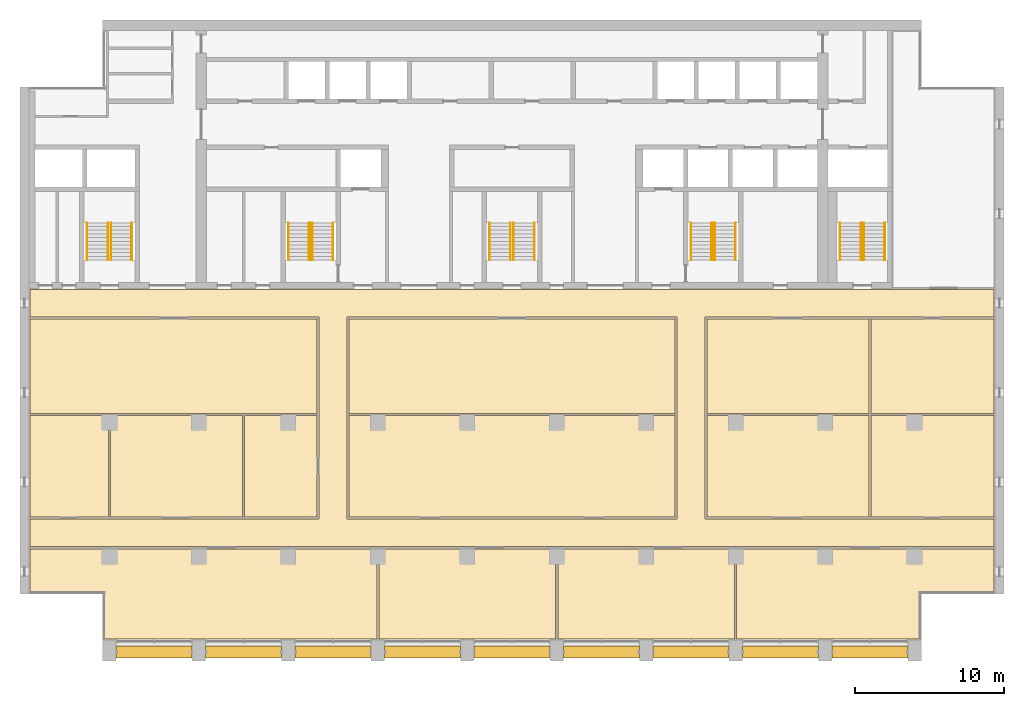
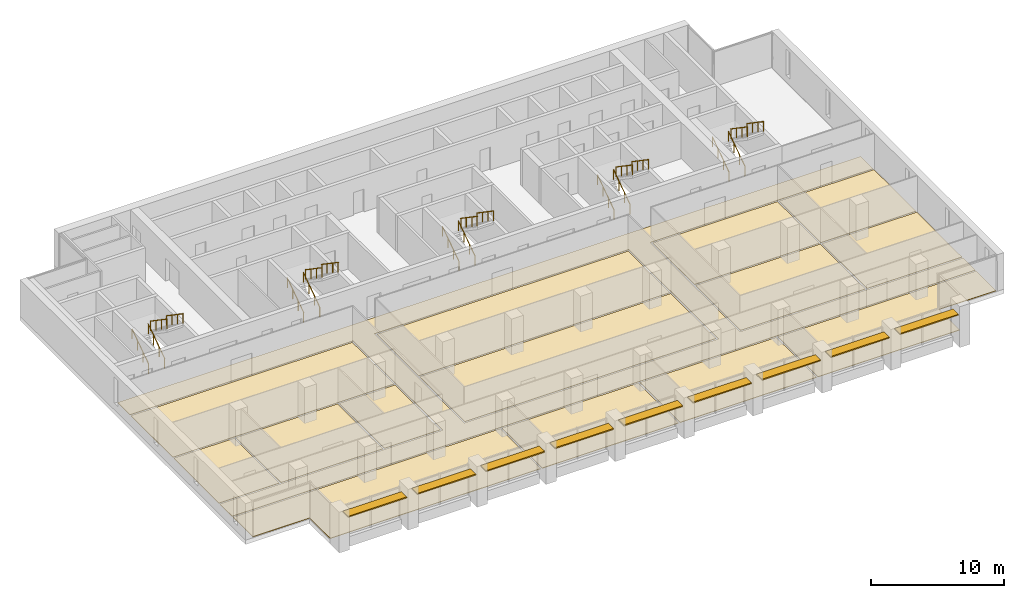
# One storey, part 16 of 17: 20 railings, 15 coverings, 9 shading devices, 5 elements without a shape of their own.
"""IFC4 building model written with IfcOpenShell, lengths in metres."""

from ifc_helpers import new_model, si_unit, direction, frame, origin, origin_2d, place, context, subcontext, project, spatial, polyline, rectangle, circle, outline, extrude, material, layer, layer_set, material_profile, profile_set, type_object, element, aggregate, save


model = new_model("IFC4")

# Units and contexts
model_context = context("Model", 3, precision=1e-05, world=origin(), true_north=direction((0.0, 1.0)))
body_context = subcontext(model_context, "Body", "Model", "MODEL_VIEW")
ifc_project = project(units=[si_unit("LENGTHUNIT", "METRE"), si_unit("AREAUNIT", "SQUARE_METRE"), si_unit("VOLUMEUNIT", "CUBIC_METRE"), si_unit("PLANEANGLEUNIT", "RADIAN"), si_unit("MASSUNIT", "GRAM", prefix="KILO")], contexts=[model_context])

# Site, building, storey
site_placement = place(None, origin())
site = spatial("IfcSite", under=ifc_project, at=site_placement, CompositionType="ELEMENT")
building_placement = place(site_placement, origin())
building = spatial("IfcBuilding", under=site, at=building_placement, Name="Calvaro Tower", CompositionType="ELEMENT")
storey_placement = place(building_placement, frame((0.0, 0.0, 208.0)))
storey = spatial("IfcBuildingStorey", under=building, at=storey_placement, Name="L52", CompositionType="ELEMENT", Elevation=208.0)

# Shading devices
ifc_material_1 = material(Name="Anodised aluminium", Category="aluminium")
ifc_material_profile = material_profile(ifc_material_1, rectangle(XDim=0.800048828125, YDim=0.10009765625, at=origin_2d()), Name="Brise-soleil blade 800 x 100")
ifc_profile_set = profile_set([ifc_material_profile], Name="Anodised aluminium")
shading_device_type = type_object("IfcShadingDeviceType", Name="Brise-soleil blade 800 x 100", PredefinedType="JALOUSIE", material=ifc_profile_set)
for number, where, z_axis, x_axis, name in (
    (1, (12.449951171875, 3.60009765625, 2.5), (1.0, 0.0, 0.0), (0.0, 1.0, 0.0), "Brise-soleil blade 1"),
    (2, (18.449951171875, 3.60009765625, 2.5), (1.0, 0.0, 0.0), (0.0, 1.0, 0.0), "Brise-soleil blade 2"),
    (3, (24.449951171875, 3.60009765625, 2.5), (1.0, 0.0, 0.0), (0.0, 1.0, 0.0), "Brise-soleil blade 3"),
    (4, (30.449951171875, 3.60009765625, 2.5), (1.0, 0.0, 0.0), (0.0, 1.0, 0.0), "Brise-soleil blade 4"),
    (5, (36.449951171875, 3.60009765625, 2.5), (1.0, 0.0, 0.0), (0.0, 1.0, 0.0), "Brise-soleil blade 5"),
    (6, (42.449951171875, 3.60009765625, 2.5), (1.0, 0.0, 0.0), (0.0, 1.0, 0.0), "Brise-soleil blade 6"),
    (7, (48.449951171875, 3.60009765625, 2.5), (1.0, 0.0, 0.0), (0.0, 1.0, 0.0), "Brise-soleil blade 7"),
    (8, (54.449951171875, 3.60009765625, 2.5), (1.0, 0.0, 0.0), (0.0, 1.0, 0.0), "Brise-soleil blade 8"),
    (9, (60.449951171875, 3.60009765625, 2.5), (1.0, 0.0, 0.0), (0.0, 1.0, 0.0), "Brise-soleil blade 9"),
):
    element("IfcShadingDevice", number, at=place(storey_placement, frame(where, z_axis=z_axis, x_axis=x_axis)), inside=storey, type_object=shading_device_type, Name=name, PredefinedType="JALOUSIE", context=body_context, shape_type="SweptSolid", body=[
        extrude(rectangle(XDim=0.800048828125, YDim=0.10009765625, at=origin_2d()), origin(), (0.0, 0.0, 1.0), 5.10009765625),
    ])

# Coverings
ifc_material_2 = material(Name="Cement screed with carpet tile finish")
ifc_layer = layer(ifc_material_2, 0.050048828125)
ifc_layer_set = layer_set([ifc_layer], Name="Cement screed with carpet tile finish")
covering_type = type_object("IfcCoveringType", Name="Floor finish 50", PredefinedType="FLOORING", material=ifc_layer_set)
covering_1_placement = place(storey_placement, origin())
element("IfcCovering", 10, at=covering_1_placement, inside=storey, type_object=covering_type, Name="Floor finish 30.01", PredefinedType="FLOORING", context=body_context, shape_type="SweptSolid", body=[
    extrude(outline(polyline([(6.669921875, 10.669921875), (6.669921875, 12.530029296875), (26.070068359375, 12.530029296875), (26.070068359375, 26.070068359375), (6.669921875, 26.070068359375), (6.669921875, 27.929931640625), (71.330078125, 27.929931640625), (71.330078125, 26.070068359375), (51.929931640625, 26.070068359375), (51.929931640625, 12.530029296875), (71.330078125, 12.530029296875), (71.330078125, 10.669921875), (6.669921875, 10.669921875)]), holes=[polyline([(50.070068359375, 12.530029296875), (50.070068359375, 26.070068359375), (27.929931640625, 26.070068359375), (27.929931640625, 12.530029296875), (50.070068359375, 12.530029296875)])]), origin(), (0.0, 0.0, 1.0), 0.050048828125),
])
covering_2_placement = place(storey_placement, origin())
element("IfcCovering", 11, at=covering_2_placement, inside=storey, type_object=covering_type, Name="Floor finish 30.04", PredefinedType="FLOORING", context=body_context, shape_type="SweptSolid", body=[
    extrude(outline(polyline([(29.929931640625, 10.530029296875), (29.929931640625, 4.469970703125), (11.6201171875, 4.469970703125), (11.6201171875, 7.570068359375), (6.669921875, 7.570068359375), (6.669921875, 10.530029296875), (29.929931640625, 10.530029296875)])), origin(), (0.0, 0.0, 1.0), 0.050048828125),
])
covering_3_placement = place(storey_placement, origin())
element("IfcCovering", 12, at=covering_3_placement, inside=storey, type_object=covering_type, Name="Floor finish 30.02", PredefinedType="FLOORING", context=body_context, shape_type="SweptSolid", body=[
    extrude(outline(polyline([(30.070068359375, 10.530029296875), (41.929931640625, 10.530029296875), (41.929931640625, 4.469970703125), (30.070068359375, 4.469970703125), (30.070068359375, 10.530029296875)])), origin(), (0.0, 0.0, 1.0), 0.050048828125),
])
covering_4_placement = place(storey_placement, origin())
element("IfcCovering", 13, at=covering_4_placement, inside=storey, type_object=covering_type, Name="Floor finish 30.03", PredefinedType="FLOORING", context=body_context, shape_type="SweptSolid", body=[
    extrude(outline(polyline([(42.070068359375, 10.530029296875), (53.929931640625, 10.530029296875), (53.929931640625, 4.469970703125), (42.070068359375, 4.469970703125), (42.070068359375, 10.530029296875)])), origin(), (0.0, 0.0, 1.0), 0.050048828125),
])
covering_5_placement = place(storey_placement, origin())
element("IfcCovering", 14, at=covering_5_placement, inside=storey, type_object=covering_type, Name="Floor finish 30.05", PredefinedType="FLOORING", context=body_context, shape_type="SweptSolid", body=[
    extrude(outline(polyline([(71.330078125, 7.570068359375), (66.3798828125, 7.570068359375), (66.3798828125, 4.469970703125), (54.070068359375, 4.469970703125), (54.070068359375, 10.530029296875), (71.330078125, 10.530029296875), (71.330078125, 7.570068359375)])), origin(), (0.0, 0.0, 1.0), 0.050048828125),
])
covering_6_placement = place(storey_placement, origin())
element("IfcCovering", 15, at=covering_6_placement, inside=storey, type_object=covering_type, Name="Floor finish 30.06", PredefinedType="FLOORING", context=body_context, shape_type="SweptSolid", body=[
    extrude(outline(polyline([(11.929931640625, 19.47998046875), (11.929931640625, 12.669921875), (6.669921875, 12.669921875), (6.669921875, 19.47998046875), (11.929931640625, 19.47998046875)])), origin(), (0.0, 0.0, 1.0), 0.050048828125),
])
covering_7_placement = place(storey_placement, origin())
element("IfcCovering", 16, at=covering_7_placement, inside=storey, type_object=covering_type, Name="Floor finish 30.07", PredefinedType="FLOORING", context=body_context, shape_type="SweptSolid", body=[
    extrude(outline(polyline([(12.070068359375, 12.669921875), (12.070068359375, 19.47998046875), (20.929931640625, 19.47998046875), (20.929931640625, 12.669921875), (12.070068359375, 12.669921875)])), origin(), (0.0, 0.0, 1.0), 0.050048828125),
])
covering_8_placement = place(storey_placement, origin())
element("IfcCovering", 17, at=covering_8_placement, inside=storey, type_object=covering_type, Name="Floor finish 30.08", PredefinedType="FLOORING", context=body_context, shape_type="SweptSolid", body=[
    extrude(outline(polyline([(21.070068359375, 12.669921875), (21.070068359375, 19.47998046875), (25.929931640625, 19.47998046875), (25.929931640625, 12.669921875), (21.070068359375, 12.669921875)])), origin(), (0.0, 0.0, 1.0), 0.050048828125),
])
covering_9_placement = place(storey_placement, origin())
element("IfcCovering", 18, at=covering_9_placement, inside=storey, type_object=covering_type, Name="Floor finish 30.12", PredefinedType="FLOORING", context=body_context, shape_type="SweptSolid", body=[
    extrude(outline(polyline([(25.929931640625, 25.929931640625), (25.929931640625, 19.6201171875), (6.669921875, 19.6201171875), (6.669921875, 25.929931640625), (25.929931640625, 25.929931640625)])), origin(), (0.0, 0.0, 1.0), 0.050048828125),
])
covering_10_placement = place(storey_placement, origin())
element("IfcCovering", 19, at=covering_10_placement, inside=storey, type_object=covering_type, Name="Floor finish 30.09", PredefinedType="FLOORING", context=body_context, shape_type="SweptSolid", body=[
    extrude(outline(polyline([(28.070068359375, 12.669921875), (28.070068359375, 19.47998046875), (49.929931640625, 19.47998046875), (49.929931640625, 12.669921875), (28.070068359375, 12.669921875)])), origin(), (0.0, 0.0, 1.0), 0.050048828125),
])
covering_11_placement = place(storey_placement, origin())
element("IfcCovering", 20, at=covering_11_placement, inside=storey, type_object=covering_type, Name="Floor finish 30.13", PredefinedType="FLOORING", context=body_context, shape_type="SweptSolid", body=[
    extrude(outline(polyline([(28.070068359375, 19.6201171875), (28.070068359375, 25.929931640625), (49.929931640625, 25.929931640625), (49.929931640625, 19.6201171875), (28.070068359375, 19.6201171875)])), origin(), (0.0, 0.0, 1.0), 0.050048828125),
])
covering_12_placement = place(storey_placement, origin())
element("IfcCovering", 21, at=covering_12_placement, inside=storey, type_object=covering_type, Name="Floor finish 30.10", PredefinedType="FLOORING", context=body_context, shape_type="SweptSolid", body=[
    extrude(outline(polyline([(52.070068359375, 12.669921875), (52.070068359375, 19.47998046875), (62.929931640625, 19.47998046875), (62.929931640625, 12.669921875), (52.070068359375, 12.669921875)])), origin(), (0.0, 0.0, 1.0), 0.050048828125),
])
covering_13_placement = place(storey_placement, origin())
element("IfcCovering", 22, at=covering_13_placement, inside=storey, type_object=covering_type, Name="Floor finish 30.11", PredefinedType="FLOORING", context=body_context, shape_type="SweptSolid", body=[
    extrude(outline(polyline([(71.330078125, 12.669921875), (63.070068359375, 12.669921875), (63.070068359375, 19.47998046875), (71.330078125, 19.47998046875), (71.330078125, 12.669921875)])), origin(), (0.0, 0.0, 1.0), 0.050048828125),
])
covering_14_placement = place(storey_placement, origin())
element("IfcCovering", 23, at=covering_14_placement, inside=storey, type_object=covering_type, Name="Floor finish 30.14", PredefinedType="FLOORING", context=body_context, shape_type="SweptSolid", body=[
    extrude(outline(polyline([(52.070068359375, 19.6201171875), (52.070068359375, 25.929931640625), (62.929931640625, 25.929931640625), (62.929931640625, 19.6201171875), (52.070068359375, 19.6201171875)])), origin(), (0.0, 0.0, 1.0), 0.050048828125),
])
covering_15_placement = place(storey_placement, origin())
element("IfcCovering", 24, at=covering_15_placement, inside=storey, type_object=covering_type, Name="Floor finish 30.15", PredefinedType="FLOORING", context=body_context, shape_type="SweptSolid", body=[
    extrude(outline(polyline([(71.330078125, 19.6201171875), (63.070068359375, 19.6201171875), (63.070068359375, 25.929931640625), (71.330078125, 25.929931640625), (71.330078125, 19.6201171875)])), origin(), (0.0, 0.0, 1.0), 0.050048828125),
])

# Stair, railings
ifc_material_3 = material(Name="Concrete C40/50", Category="concrete")
stair_type = type_object("IfcStairType", Name="Exit stair 1400 2 flights", PredefinedType="HALF_TURN_STAIR", material=ifc_material_3)
stair_1_placement = place(storey_placement, origin())
stair_1 = element("IfcStair", 25, at=stair_1_placement, inside=storey, type_object=stair_type, Name="Exit stair S1", PredefinedType="HALF_TURN_STAIR")
ifc_material_4 = material(Name="Stainless steel", Category="steel")
railing_type = type_object("IfcRailingType", Name="Stair handrail", PredefinedType="HANDRAIL", material=ifc_material_4)
railing_1_placement = place(storey_placement, frame((11.89990234375, 29.89990234375, 0.17041015625)))
railing_1 = element("IfcRailing", 26, at=railing_1_placement, type_object=railing_type, Name="Exit stair 1 handrail", PredefinedType="HANDRAIL", context=body_context, shape_type="SweptSolid", body=[
    extrude(circle(Radius=0.02392578125, at=origin_2d()), frame((0.0, 0.0, 0.8759765625), z_axis=(0.0, 0.826220514629, 0.563346839174), x_axis=(-1.0, 0.0, 0.0)), (0.0, 0.0, 1.0), 3.02587890625),
    extrude(circle(Radius=0.02099609375, at=origin_2d()), frame((0.0, 0.017333984375, 0.01171875)), (0.0, 0.0, 1.0), 0.851806640625),
    extrude(circle(Radius=0.02099609375, at=origin_2d()), frame((0.0, 0.833251953125, 0.568115234375)), (0.0, 0.0, 1.0), 0.851806640625),
    extrude(circle(Radius=0.02099609375, at=origin_2d()), frame((0.0, 1.666748046875, 1.136474609375)), (0.0, 0.0, 1.0), 0.851806640625),
    extrude(circle(Radius=0.02099609375, at=origin_2d()), frame((0.0, 2.482666015625, 1.69287109375)), (0.0, 0.0, 1.0), 0.851806640625),
])
railing_2_placement = place(storey_placement, frame((10.5, 29.89990234375, 0.17041015625)))
railing_2 = element("IfcRailing", 27, at=railing_2_placement, type_object=railing_type, Name="Exit stair 1 handrail", PredefinedType="HANDRAIL", context=body_context, shape_type="SweptSolid", body=[
    extrude(circle(Radius=0.02392578125, at=origin_2d()), frame((0.0, 0.0, 0.8759765625), z_axis=(0.0, 0.826220514629, 0.563346839174), x_axis=(-1.0, 0.0, 0.0)), (0.0, 0.0, 1.0), 3.02587890625),
    extrude(circle(Radius=0.02099609375, at=origin_2d()), frame((0.0, 0.017333984375, 0.01171875)), (0.0, 0.0, 1.0), 0.851806640625),
    extrude(circle(Radius=0.02099609375, at=origin_2d()), frame((0.0, 0.833251953125, 0.568115234375)), (0.0, 0.0, 1.0), 0.851806640625),
    extrude(circle(Radius=0.02099609375, at=origin_2d()), frame((0.0, 1.666748046875, 1.136474609375)), (0.0, 0.0, 1.0), 0.851806640625),
    extrude(circle(Radius=0.02099609375, at=origin_2d()), frame((0.0, 2.482666015625, 1.69287109375)), (0.0, 0.0, 1.0), 0.851806640625),
])
railing_3_placement = place(storey_placement, frame((12.10009765625, 32.39990234375, 2.04541015625)))
railing_3 = element("IfcRailing", 28, at=railing_3_placement, type_object=railing_type, Name="Exit stair 1 handrail", PredefinedType="HANDRAIL", context=body_context, shape_type="SweptSolid", body=[
    extrude(circle(Radius=0.02392578125, at=origin_2d()), frame((0.0, 0.0, 0.8759765625), z_axis=(0.0, -0.826220514629, 0.563346839174), x_axis=(1.0, 0.0, 0.0)), (0.0, 0.0, 1.0), 3.02587890625),
    extrude(circle(Radius=0.02099609375, at=origin_2d()), frame((0.0, -0.017333984375, 0.01171875)), (0.0, 0.0, 1.0), 0.851806640625),
    extrude(circle(Radius=0.02099609375, at=origin_2d()), frame((0.0, -0.833251953125, 0.568115234375)), (0.0, 0.0, 1.0), 0.851806640625),
    extrude(circle(Radius=0.02099609375, at=origin_2d()), frame((0.0, -1.666748046875, 1.136474609375)), (0.0, 0.0, 1.0), 0.851806640625),
    extrude(circle(Radius=0.02099609375, at=origin_2d()), frame((0.0, -2.482666015625, 1.69287109375)), (0.0, 0.0, 1.0), 0.851806640625),
])
railing_4_placement = place(storey_placement, frame((13.5, 32.39990234375, 2.04541015625)))
railing_4 = element("IfcRailing", 29, at=railing_4_placement, type_object=railing_type, Name="Exit stair 1 handrail", PredefinedType="HANDRAIL", context=body_context, shape_type="SweptSolid", body=[
    extrude(circle(Radius=0.02392578125, at=origin_2d()), frame((0.0, 0.0, 0.8759765625), z_axis=(0.0, -0.826220514629, 0.563346839174), x_axis=(1.0, 0.0, 0.0)), (0.0, 0.0, 1.0), 3.02587890625),
    extrude(circle(Radius=0.02099609375, at=origin_2d()), frame((0.0, -0.017333984375, 0.01171875)), (0.0, 0.0, 1.0), 0.851806640625),
    extrude(circle(Radius=0.02099609375, at=origin_2d()), frame((0.0, -0.833251953125, 0.568115234375)), (0.0, 0.0, 1.0), 0.851806640625),
    extrude(circle(Radius=0.02099609375, at=origin_2d()), frame((0.0, -1.666748046875, 1.136474609375)), (0.0, 0.0, 1.0), 0.851806640625),
    extrude(circle(Radius=0.02099609375, at=origin_2d()), frame((0.0, -2.482666015625, 1.69287109375)), (0.0, 0.0, 1.0), 0.851806640625),
])
aggregate(stair_1, [railing_1, railing_2, railing_3, railing_4])

stair_2_placement = place(storey_placement, origin())
stair_2 = element("IfcStair", 30, at=stair_2_placement, inside=storey, type_object=stair_type, Name="Exit stair S2", PredefinedType="HALF_TURN_STAIR")
railing_5_placement = place(storey_placement, frame((25.39990234375, 29.89990234375, 0.17041015625)))
railing_5 = element("IfcRailing", 31, at=railing_5_placement, type_object=railing_type, Name="Exit stair 2 handrail", PredefinedType="HANDRAIL", context=body_context, shape_type="SweptSolid", body=[
    extrude(circle(Radius=0.02392578125, at=origin_2d()), frame((0.0, 0.0, 0.8759765625), z_axis=(0.0, 0.826220514629, 0.563346839174), x_axis=(-1.0, 0.0, 0.0)), (0.0, 0.0, 1.0), 3.02587890625),
    extrude(circle(Radius=0.02099609375, at=origin_2d()), frame((0.0, 0.017333984375, 0.01171875)), (0.0, 0.0, 1.0), 0.851806640625),
    extrude(circle(Radius=0.02099609375, at=origin_2d()), frame((0.0, 0.833251953125, 0.568115234375)), (0.0, 0.0, 1.0), 0.851806640625),
    extrude(circle(Radius=0.02099609375, at=origin_2d()), frame((0.0, 1.666748046875, 1.136474609375)), (0.0, 0.0, 1.0), 0.851806640625),
    extrude(circle(Radius=0.02099609375, at=origin_2d()), frame((0.0, 2.482666015625, 1.69287109375)), (0.0, 0.0, 1.0), 0.851806640625),
])
railing_6_placement = place(storey_placement, frame((24.0, 29.89990234375, 0.17041015625)))
railing_6 = element("IfcRailing", 32, at=railing_6_placement, type_object=railing_type, Name="Exit stair 2 handrail", PredefinedType="HANDRAIL", context=body_context, shape_type="SweptSolid", body=[
    extrude(circle(Radius=0.02392578125, at=origin_2d()), frame((0.0, 0.0, 0.8759765625), z_axis=(0.0, 0.826220514629, 0.563346839174), x_axis=(-1.0, 0.0, 0.0)), (0.0, 0.0, 1.0), 3.02587890625),
    extrude(circle(Radius=0.02099609375, at=origin_2d()), frame((0.0, 0.017333984375, 0.01171875)), (0.0, 0.0, 1.0), 0.851806640625),
    extrude(circle(Radius=0.02099609375, at=origin_2d()), frame((0.0, 0.833251953125, 0.568115234375)), (0.0, 0.0, 1.0), 0.851806640625),
    extrude(circle(Radius=0.02099609375, at=origin_2d()), frame((0.0, 1.666748046875, 1.136474609375)), (0.0, 0.0, 1.0), 0.851806640625),
    extrude(circle(Radius=0.02099609375, at=origin_2d()), frame((0.0, 2.482666015625, 1.69287109375)), (0.0, 0.0, 1.0), 0.851806640625),
])
railing_7_placement = place(storey_placement, frame((25.60009765625, 32.39990234375, 2.04541015625)))
railing_7 = element("IfcRailing", 33, at=railing_7_placement, type_object=railing_type, Name="Exit stair 2 handrail", PredefinedType="HANDRAIL", context=body_context, shape_type="SweptSolid", body=[
    extrude(circle(Radius=0.02392578125, at=origin_2d()), frame((0.0, 0.0, 0.8759765625), z_axis=(0.0, -0.826220514629, 0.563346839174), x_axis=(1.0, 0.0, 0.0)), (0.0, 0.0, 1.0), 3.02587890625),
    extrude(circle(Radius=0.02099609375, at=origin_2d()), frame((0.0, -0.017333984375, 0.01171875)), (0.0, 0.0, 1.0), 0.851806640625),
    extrude(circle(Radius=0.02099609375, at=origin_2d()), frame((0.0, -0.833251953125, 0.568115234375)), (0.0, 0.0, 1.0), 0.851806640625),
    extrude(circle(Radius=0.02099609375, at=origin_2d()), frame((0.0, -1.666748046875, 1.136474609375)), (0.0, 0.0, 1.0), 0.851806640625),
    extrude(circle(Radius=0.02099609375, at=origin_2d()), frame((0.0, -2.482666015625, 1.69287109375)), (0.0, 0.0, 1.0), 0.851806640625),
])
railing_8_placement = place(storey_placement, frame((27.0, 32.39990234375, 2.04541015625)))
railing_8 = element("IfcRailing", 34, at=railing_8_placement, type_object=railing_type, Name="Exit stair 2 handrail", PredefinedType="HANDRAIL", context=body_context, shape_type="SweptSolid", body=[
    extrude(circle(Radius=0.02392578125, at=origin_2d()), frame((0.0, 0.0, 0.8759765625), z_axis=(0.0, -0.826220514629, 0.563346839174), x_axis=(1.0, 0.0, 0.0)), (0.0, 0.0, 1.0), 3.02587890625),
    extrude(circle(Radius=0.02099609375, at=origin_2d()), frame((0.0, -0.017333984375, 0.01171875)), (0.0, 0.0, 1.0), 0.851806640625),
    extrude(circle(Radius=0.02099609375, at=origin_2d()), frame((0.0, -0.833251953125, 0.568115234375)), (0.0, 0.0, 1.0), 0.851806640625),
    extrude(circle(Radius=0.02099609375, at=origin_2d()), frame((0.0, -1.666748046875, 1.136474609375)), (0.0, 0.0, 1.0), 0.851806640625),
    extrude(circle(Radius=0.02099609375, at=origin_2d()), frame((0.0, -2.482666015625, 1.69287109375)), (0.0, 0.0, 1.0), 0.851806640625),
])
aggregate(stair_2, [railing_5, railing_6, railing_7, railing_8])

stair_3_placement = place(storey_placement, origin())
stair_3 = element("IfcStair", 35, at=stair_3_placement, inside=storey, type_object=stair_type, Name="Exit stair S3", PredefinedType="HALF_TURN_STAIR")
railing_9_placement = place(storey_placement, frame((38.89990234375, 29.89990234375, 0.17041015625)))
railing_9 = element("IfcRailing", 36, at=railing_9_placement, type_object=railing_type, Name="Exit stair 3 handrail", PredefinedType="HANDRAIL", context=body_context, shape_type="SweptSolid", body=[
    extrude(circle(Radius=0.02392578125, at=origin_2d()), frame((0.0, 0.0, 0.8759765625), z_axis=(0.0, 0.826220514629, 0.563346839174), x_axis=(-1.0, 0.0, 0.0)), (0.0, 0.0, 1.0), 3.02587890625),
    extrude(circle(Radius=0.02099609375, at=origin_2d()), frame((0.0, 0.017333984375, 0.01171875)), (0.0, 0.0, 1.0), 0.851806640625),
    extrude(circle(Radius=0.02099609375, at=origin_2d()), frame((0.0, 0.833251953125, 0.568115234375)), (0.0, 0.0, 1.0), 0.851806640625),
    extrude(circle(Radius=0.02099609375, at=origin_2d()), frame((0.0, 1.666748046875, 1.136474609375)), (0.0, 0.0, 1.0), 0.851806640625),
    extrude(circle(Radius=0.02099609375, at=origin_2d()), frame((0.0, 2.482666015625, 1.69287109375)), (0.0, 0.0, 1.0), 0.851806640625),
])
railing_10_placement = place(storey_placement, frame((37.5, 29.89990234375, 0.17041015625)))
railing_10 = element("IfcRailing", 37, at=railing_10_placement, type_object=railing_type, Name="Exit stair 3 handrail", PredefinedType="HANDRAIL", context=body_context, shape_type="SweptSolid", body=[
    extrude(circle(Radius=0.02392578125, at=origin_2d()), frame((0.0, 0.0, 0.8759765625), z_axis=(0.0, 0.826220514629, 0.563346839174), x_axis=(-1.0, 0.0, 0.0)), (0.0, 0.0, 1.0), 3.02587890625),
    extrude(circle(Radius=0.02099609375, at=origin_2d()), frame((0.0, 0.017333984375, 0.01171875)), (0.0, 0.0, 1.0), 0.851806640625),
    extrude(circle(Radius=0.02099609375, at=origin_2d()), frame((0.0, 0.833251953125, 0.568115234375)), (0.0, 0.0, 1.0), 0.851806640625),
    extrude(circle(Radius=0.02099609375, at=origin_2d()), frame((0.0, 1.666748046875, 1.136474609375)), (0.0, 0.0, 1.0), 0.851806640625),
    extrude(circle(Radius=0.02099609375, at=origin_2d()), frame((0.0, 2.482666015625, 1.69287109375)), (0.0, 0.0, 1.0), 0.851806640625),
])
railing_11_placement = place(storey_placement, frame((39.10009765625, 32.39990234375, 2.04541015625)))
railing_11 = element("IfcRailing", 38, at=railing_11_placement, type_object=railing_type, Name="Exit stair 3 handrail", PredefinedType="HANDRAIL", context=body_context, shape_type="SweptSolid", body=[
    extrude(circle(Radius=0.02392578125, at=origin_2d()), frame((0.0, 0.0, 0.8759765625), z_axis=(0.0, -0.826220514629, 0.563346839174), x_axis=(1.0, 0.0, 0.0)), (0.0, 0.0, 1.0), 3.02587890625),
    extrude(circle(Radius=0.02099609375, at=origin_2d()), frame((0.0, -0.017333984375, 0.01171875)), (0.0, 0.0, 1.0), 0.851806640625),
    extrude(circle(Radius=0.02099609375, at=origin_2d()), frame((0.0, -0.833251953125, 0.568115234375)), (0.0, 0.0, 1.0), 0.851806640625),
    extrude(circle(Radius=0.02099609375, at=origin_2d()), frame((0.0, -1.666748046875, 1.136474609375)), (0.0, 0.0, 1.0), 0.851806640625),
    extrude(circle(Radius=0.02099609375, at=origin_2d()), frame((0.0, -2.482666015625, 1.69287109375)), (0.0, 0.0, 1.0), 0.851806640625),
])
railing_12_placement = place(storey_placement, frame((40.5, 32.39990234375, 2.04541015625)))
railing_12 = element("IfcRailing", 39, at=railing_12_placement, type_object=railing_type, Name="Exit stair 3 handrail", PredefinedType="HANDRAIL", context=body_context, shape_type="SweptSolid", body=[
    extrude(circle(Radius=0.02392578125, at=origin_2d()), frame((0.0, 0.0, 0.8759765625), z_axis=(0.0, -0.826220514629, 0.563346839174), x_axis=(1.0, 0.0, 0.0)), (0.0, 0.0, 1.0), 3.02587890625),
    extrude(circle(Radius=0.02099609375, at=origin_2d()), frame((0.0, -0.017333984375, 0.01171875)), (0.0, 0.0, 1.0), 0.851806640625),
    extrude(circle(Radius=0.02099609375, at=origin_2d()), frame((0.0, -0.833251953125, 0.568115234375)), (0.0, 0.0, 1.0), 0.851806640625),
    extrude(circle(Radius=0.02099609375, at=origin_2d()), frame((0.0, -1.666748046875, 1.136474609375)), (0.0, 0.0, 1.0), 0.851806640625),
    extrude(circle(Radius=0.02099609375, at=origin_2d()), frame((0.0, -2.482666015625, 1.69287109375)), (0.0, 0.0, 1.0), 0.851806640625),
])
aggregate(stair_3, [railing_9, railing_10, railing_11, railing_12])

stair_4_placement = place(storey_placement, origin())
stair_4 = element("IfcStair", 40, at=stair_4_placement, inside=storey, type_object=stair_type, Name="Exit stair S4", PredefinedType="HALF_TURN_STAIR")
railing_13_placement = place(storey_placement, frame((52.39990234375, 29.89990234375, 0.17041015625)))
railing_13 = element("IfcRailing", 41, at=railing_13_placement, type_object=railing_type, Name="Exit stair 4 handrail", PredefinedType="HANDRAIL", context=body_context, shape_type="SweptSolid", body=[
    extrude(circle(Radius=0.02392578125, at=origin_2d()), frame((0.0, 0.0, 0.8759765625), z_axis=(0.0, 0.826220514629, 0.563346839174), x_axis=(-1.0, 0.0, 0.0)), (0.0, 0.0, 1.0), 3.02587890625),
    extrude(circle(Radius=0.02099609375, at=origin_2d()), frame((0.0, 0.017333984375, 0.01171875)), (0.0, 0.0, 1.0), 0.851806640625),
    extrude(circle(Radius=0.02099609375, at=origin_2d()), frame((0.0, 0.833251953125, 0.568115234375)), (0.0, 0.0, 1.0), 0.851806640625),
    extrude(circle(Radius=0.02099609375, at=origin_2d()), frame((0.0, 1.666748046875, 1.136474609375)), (0.0, 0.0, 1.0), 0.851806640625),
    extrude(circle(Radius=0.02099609375, at=origin_2d()), frame((0.0, 2.482666015625, 1.69287109375)), (0.0, 0.0, 1.0), 0.851806640625),
])
railing_14_placement = place(storey_placement, frame((51.0, 29.89990234375, 0.17041015625)))
railing_14 = element("IfcRailing", 42, at=railing_14_placement, type_object=railing_type, Name="Exit stair 4 handrail", PredefinedType="HANDRAIL", context=body_context, shape_type="SweptSolid", body=[
    extrude(circle(Radius=0.02392578125, at=origin_2d()), frame((0.0, 0.0, 0.8759765625), z_axis=(0.0, 0.826220514629, 0.563346839174), x_axis=(-1.0, 0.0, 0.0)), (0.0, 0.0, 1.0), 3.02587890625),
    extrude(circle(Radius=0.02099609375, at=origin_2d()), frame((0.0, 0.017333984375, 0.01171875)), (0.0, 0.0, 1.0), 0.851806640625),
    extrude(circle(Radius=0.02099609375, at=origin_2d()), frame((0.0, 0.833251953125, 0.568115234375)), (0.0, 0.0, 1.0), 0.851806640625),
    extrude(circle(Radius=0.02099609375, at=origin_2d()), frame((0.0, 1.666748046875, 1.136474609375)), (0.0, 0.0, 1.0), 0.851806640625),
    extrude(circle(Radius=0.02099609375, at=origin_2d()), frame((0.0, 2.482666015625, 1.69287109375)), (0.0, 0.0, 1.0), 0.851806640625),
])
railing_15_placement = place(storey_placement, frame((52.60009765625, 32.39990234375, 2.04541015625)))
railing_15 = element("IfcRailing", 43, at=railing_15_placement, type_object=railing_type, Name="Exit stair 4 handrail", PredefinedType="HANDRAIL", context=body_context, shape_type="SweptSolid", body=[
    extrude(circle(Radius=0.02392578125, at=origin_2d()), frame((0.0, 0.0, 0.8759765625), z_axis=(0.0, -0.826220514629, 0.563346839174), x_axis=(1.0, 0.0, 0.0)), (0.0, 0.0, 1.0), 3.02587890625),
    extrude(circle(Radius=0.02099609375, at=origin_2d()), frame((0.0, -0.017333984375, 0.01171875)), (0.0, 0.0, 1.0), 0.851806640625),
    extrude(circle(Radius=0.02099609375, at=origin_2d()), frame((0.0, -0.833251953125, 0.568115234375)), (0.0, 0.0, 1.0), 0.851806640625),
    extrude(circle(Radius=0.02099609375, at=origin_2d()), frame((0.0, -1.666748046875, 1.136474609375)), (0.0, 0.0, 1.0), 0.851806640625),
    extrude(circle(Radius=0.02099609375, at=origin_2d()), frame((0.0, -2.482666015625, 1.69287109375)), (0.0, 0.0, 1.0), 0.851806640625),
])
railing_16_placement = place(storey_placement, frame((54.0, 32.39990234375, 2.04541015625)))
railing_16 = element("IfcRailing", 44, at=railing_16_placement, type_object=railing_type, Name="Exit stair 4 handrail", PredefinedType="HANDRAIL", context=body_context, shape_type="SweptSolid", body=[
    extrude(circle(Radius=0.02392578125, at=origin_2d()), frame((0.0, 0.0, 0.8759765625), z_axis=(0.0, -0.826220514629, 0.563346839174), x_axis=(1.0, 0.0, 0.0)), (0.0, 0.0, 1.0), 3.02587890625),
    extrude(circle(Radius=0.02099609375, at=origin_2d()), frame((0.0, -0.017333984375, 0.01171875)), (0.0, 0.0, 1.0), 0.851806640625),
    extrude(circle(Radius=0.02099609375, at=origin_2d()), frame((0.0, -0.833251953125, 0.568115234375)), (0.0, 0.0, 1.0), 0.851806640625),
    extrude(circle(Radius=0.02099609375, at=origin_2d()), frame((0.0, -1.666748046875, 1.136474609375)), (0.0, 0.0, 1.0), 0.851806640625),
    extrude(circle(Radius=0.02099609375, at=origin_2d()), frame((0.0, -2.482666015625, 1.69287109375)), (0.0, 0.0, 1.0), 0.851806640625),
])
aggregate(stair_4, [railing_13, railing_14, railing_15, railing_16])

stair_5_placement = place(storey_placement, origin())
stair_5 = element("IfcStair", 45, at=stair_5_placement, inside=storey, type_object=stair_type, Name="Exit stair S5", PredefinedType="HALF_TURN_STAIR")
railing_17_placement = place(storey_placement, frame((62.39990234375, 29.89990234375, 0.17041015625)))
railing_17 = element("IfcRailing", 46, at=railing_17_placement, type_object=railing_type, Name="Exit stair 5 handrail", PredefinedType="HANDRAIL", context=body_context, shape_type="SweptSolid", body=[
    extrude(circle(Radius=0.02392578125, at=origin_2d()), frame((0.0, 0.0, 0.8759765625), z_axis=(0.0, 0.826220514629, 0.563346839174), x_axis=(-1.0, 0.0, 0.0)), (0.0, 0.0, 1.0), 3.02587890625),
    extrude(circle(Radius=0.02099609375, at=origin_2d()), frame((0.0, 0.017333984375, 0.01171875)), (0.0, 0.0, 1.0), 0.851806640625),
    extrude(circle(Radius=0.02099609375, at=origin_2d()), frame((0.0, 0.833251953125, 0.568115234375)), (0.0, 0.0, 1.0), 0.851806640625),
    extrude(circle(Radius=0.02099609375, at=origin_2d()), frame((0.0, 1.666748046875, 1.136474609375)), (0.0, 0.0, 1.0), 0.851806640625),
    extrude(circle(Radius=0.02099609375, at=origin_2d()), frame((0.0, 2.482666015625, 1.69287109375)), (0.0, 0.0, 1.0), 0.851806640625),
])
railing_18_placement = place(storey_placement, frame((61.0, 29.89990234375, 0.17041015625)))
railing_18 = element("IfcRailing", 47, at=railing_18_placement, type_object=railing_type, Name="Exit stair 5 handrail", PredefinedType="HANDRAIL", context=body_context, shape_type="SweptSolid", body=[
    extrude(circle(Radius=0.02392578125, at=origin_2d()), frame((0.0, 0.0, 0.8759765625), z_axis=(0.0, 0.826220514629, 0.563346839174), x_axis=(-1.0, 0.0, 0.0)), (0.0, 0.0, 1.0), 3.02587890625),
    extrude(circle(Radius=0.02099609375, at=origin_2d()), frame((0.0, 0.017333984375, 0.01171875)), (0.0, 0.0, 1.0), 0.851806640625),
    extrude(circle(Radius=0.02099609375, at=origin_2d()), frame((0.0, 0.833251953125, 0.568115234375)), (0.0, 0.0, 1.0), 0.851806640625),
    extrude(circle(Radius=0.02099609375, at=origin_2d()), frame((0.0, 1.666748046875, 1.136474609375)), (0.0, 0.0, 1.0), 0.851806640625),
    extrude(circle(Radius=0.02099609375, at=origin_2d()), frame((0.0, 2.482666015625, 1.69287109375)), (0.0, 0.0, 1.0), 0.851806640625),
])
railing_19_placement = place(storey_placement, frame((62.60009765625, 32.39990234375, 2.04541015625)))
railing_19 = element("IfcRailing", 48, at=railing_19_placement, type_object=railing_type, Name="Exit stair 5 handrail", PredefinedType="HANDRAIL", context=body_context, shape_type="SweptSolid", body=[
    extrude(circle(Radius=0.02392578125, at=origin_2d()), frame((0.0, 0.0, 0.8759765625), z_axis=(0.0, -0.826220514629, 0.563346839174), x_axis=(1.0, 0.0, 0.0)), (0.0, 0.0, 1.0), 3.02587890625),
    extrude(circle(Radius=0.02099609375, at=origin_2d()), frame((0.0, -0.017333984375, 0.01171875)), (0.0, 0.0, 1.0), 0.851806640625),
    extrude(circle(Radius=0.02099609375, at=origin_2d()), frame((0.0, -0.833251953125, 0.568115234375)), (0.0, 0.0, 1.0), 0.851806640625),
    extrude(circle(Radius=0.02099609375, at=origin_2d()), frame((0.0, -1.666748046875, 1.136474609375)), (0.0, 0.0, 1.0), 0.851806640625),
    extrude(circle(Radius=0.02099609375, at=origin_2d()), frame((0.0, -2.482666015625, 1.69287109375)), (0.0, 0.0, 1.0), 0.851806640625),
])
railing_20_placement = place(storey_placement, frame((64.0, 32.39990234375, 2.04541015625)))
railing_20 = element("IfcRailing", 49, at=railing_20_placement, type_object=railing_type, Name="Exit stair 5 handrail", PredefinedType="HANDRAIL", context=body_context, shape_type="SweptSolid", body=[
    extrude(circle(Radius=0.02392578125, at=origin_2d()), frame((0.0, 0.0, 0.8759765625), z_axis=(0.0, -0.826220514629, 0.563346839174), x_axis=(1.0, 0.0, 0.0)), (0.0, 0.0, 1.0), 3.02587890625),
    extrude(circle(Radius=0.02099609375, at=origin_2d()), frame((0.0, -0.017333984375, 0.01171875)), (0.0, 0.0, 1.0), 0.851806640625),
    extrude(circle(Radius=0.02099609375, at=origin_2d()), frame((0.0, -0.833251953125, 0.568115234375)), (0.0, 0.0, 1.0), 0.851806640625),
    extrude(circle(Radius=0.02099609375, at=origin_2d()), frame((0.0, -1.666748046875, 1.136474609375)), (0.0, 0.0, 1.0), 0.851806640625),
    extrude(circle(Radius=0.02099609375, at=origin_2d()), frame((0.0, -2.482666015625, 1.69287109375)), (0.0, 0.0, 1.0), 0.851806640625),
])
aggregate(stair_5, [railing_17, railing_18, railing_19, railing_20])

save(model, "model.ifc")
